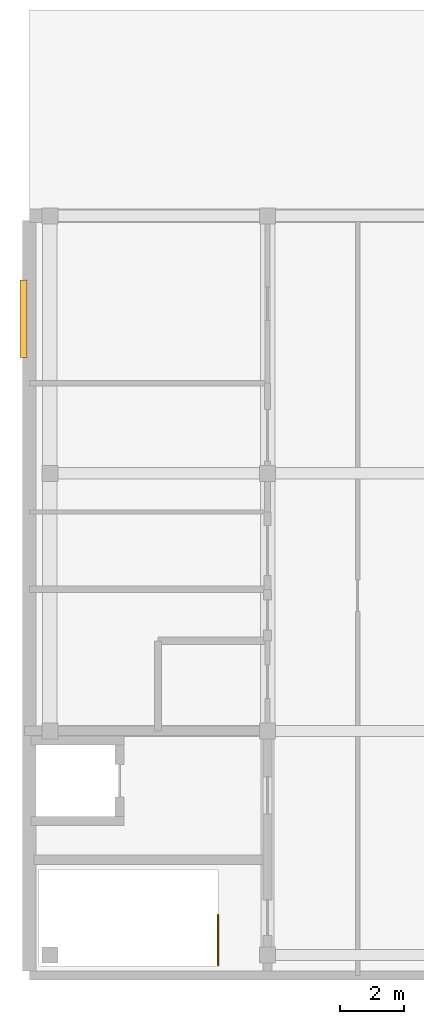
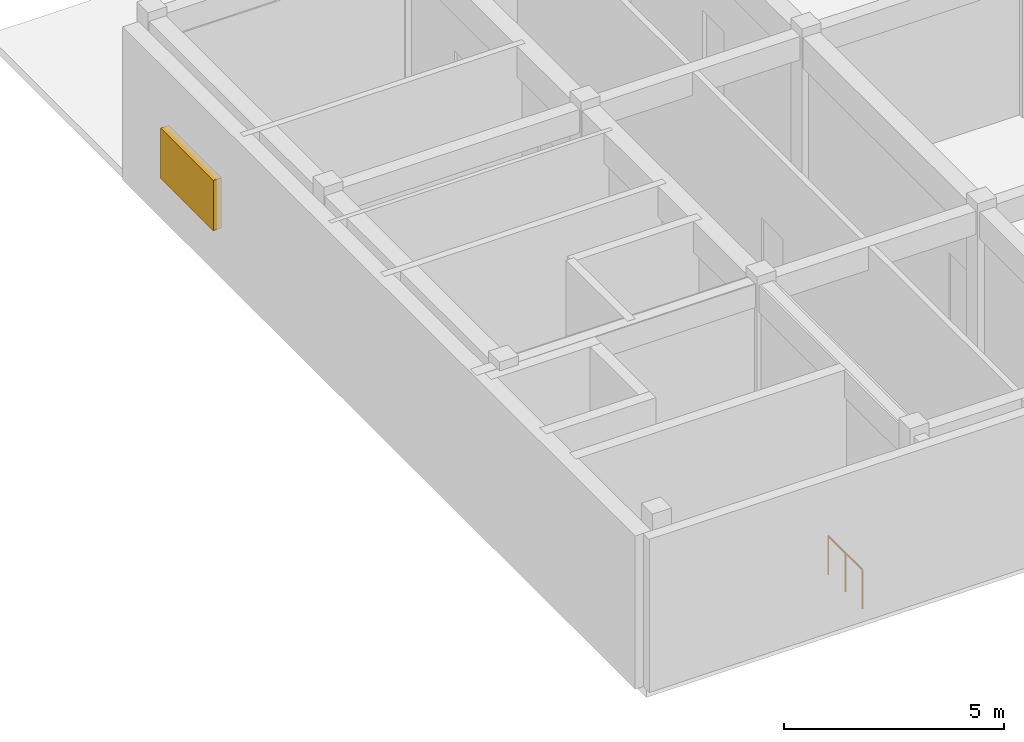
# One storey, part 9 of 11: 1 railing, 1 shading device.
"""IFC4 building model written with IfcOpenShell, lengths in metres."""

from ifc_helpers import new_model, si_unit, direction, frame, origin, origin_2d, place, context, subcontext, project, spatial, rectangle, circle, extrude, material, type_object, element, save


model = new_model("IFC4")

# Units and contexts
model_context = context("Model", 3, precision=1e-05, world=origin(), true_north=direction((0.0, 1.0)))
body_context = subcontext(model_context, "Body", "Model", "MODEL_VIEW")
ifc_project = project(units=[si_unit("LENGTHUNIT", "METRE"), si_unit("AREAUNIT", "SQUARE_METRE"), si_unit("VOLUMEUNIT", "CUBIC_METRE"), si_unit("PLANEANGLEUNIT", "RADIAN"), si_unit("MASSUNIT", "GRAM", prefix="KILO")], contexts=[model_context])

# Site, building, storey
site_placement = place(None, origin())
site = spatial("IfcSite", under=ifc_project, at=site_placement, CompositionType="ELEMENT")
building_placement = place(site_placement, origin())
building = spatial("IfcBuilding", under=site, at=building_placement, Name="Cinchona Park Media Centre", CompositionType="ELEMENT")
storey_placement = place(building_placement, frame((0.0, 0.0, 24.89990234375)))
storey = spatial("IfcBuildingStorey", under=building, at=storey_placement, Name="L05", CompositionType="ELEMENT", Elevation=24.89990234375)

# Railing
ifc_material_1 = material(Name="Painted Steel Stairwell Guardrail", Category="steel")
railing_type = type_object("IfcRailingType", Name="RAILING-GR02", PredefinedType="GUARDRAIL", material=ifc_material_1)
railing_placement = place(storey_placement, frame((13.864990234375, 64.320068359375, 0.0)))
element("IfcRailing", 1, at=railing_placement, inside=storey, type_object=railing_type, Name="Stairwell Guardrail GR02 ST3 L05", PredefinedType="GUARDRAIL", context=body_context, shape_type="SweptSolid", body=[
    extrude(circle(Radius=0.02392578125, at=origin_2d()), frame((0.0, 0.0, 1.076171875), z_axis=(0.0, 1.0, 0.0), x_axis=(-1.0, 0.0, 0.0)), (0.0, 0.0, 1.0), 1.559814453125),
    extrude(circle(Radius=0.02099609375, at=origin_2d()), origin(), (0.0, 0.0, 1.0), 1.052001953125),
    extrude(circle(Radius=0.02099609375, at=origin_2d()), frame((0.0, 0.77978515625, 0.0)), (0.0, 0.0, 1.0), 1.052001953125),
    extrude(circle(Radius=0.02099609375, at=origin_2d()), frame((0.0, 1.559814453125, 0.0)), (0.0, 0.0, 1.0), 1.052001953125),
])

# Shading device
ifc_material_2 = material(Name="Hurricane Acoustic Aluminium Storm Louvre", Category="aluminium")
shading_device_type = type_object("IfcShadingDeviceType", Name="SHADING-LOUV01", PredefinedType="JALOUSIE", material=ifc_material_2)
shading_device_placement = place(storey_placement, frame((7.820068359375, 84.39990234375, 1.2001953125), z_axis=(0.0, 0.0, 1.0), x_axis=(0.0, 1.0, 0.0)))
element("IfcShadingDevice", 2, at=shading_device_placement, inside=storey, type_object=shading_device_type, Name="Acoustic Plant Storm Louvre 3", PredefinedType="JALOUSIE", context=body_context, shape_type="SweptSolid", body=[
    extrude(rectangle(XDim=2.39990234375, YDim=0.219970703125, at=origin_2d()), origin(), (0.0, 0.0, 1.0), 1.39990234375),
])

save(model, "model.ifc")
